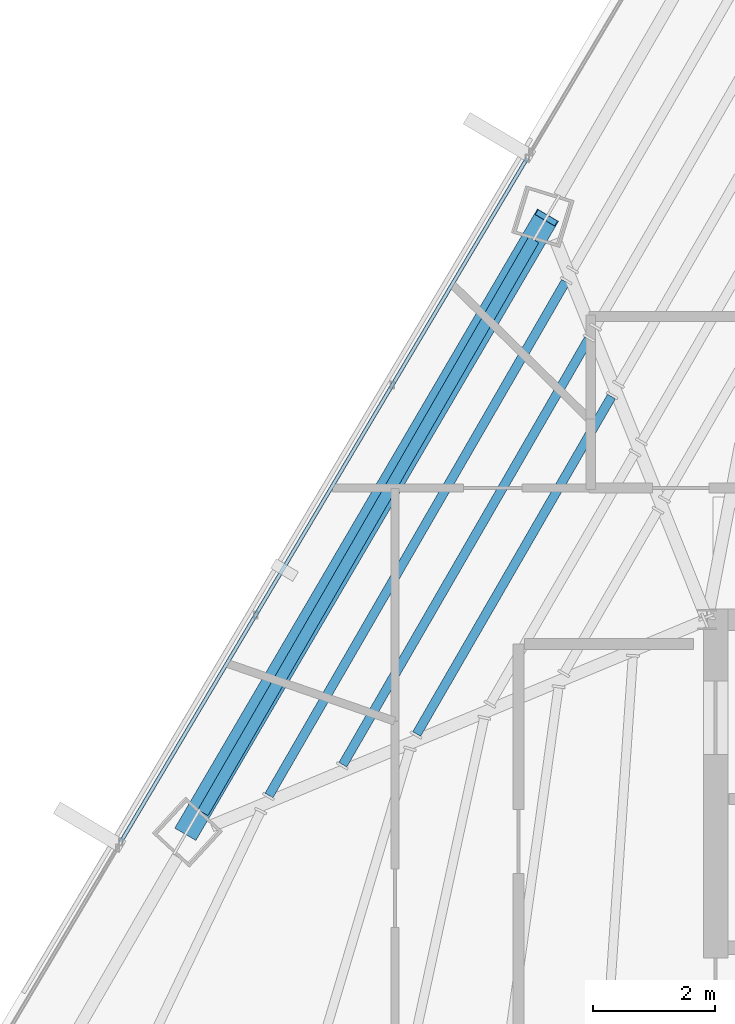
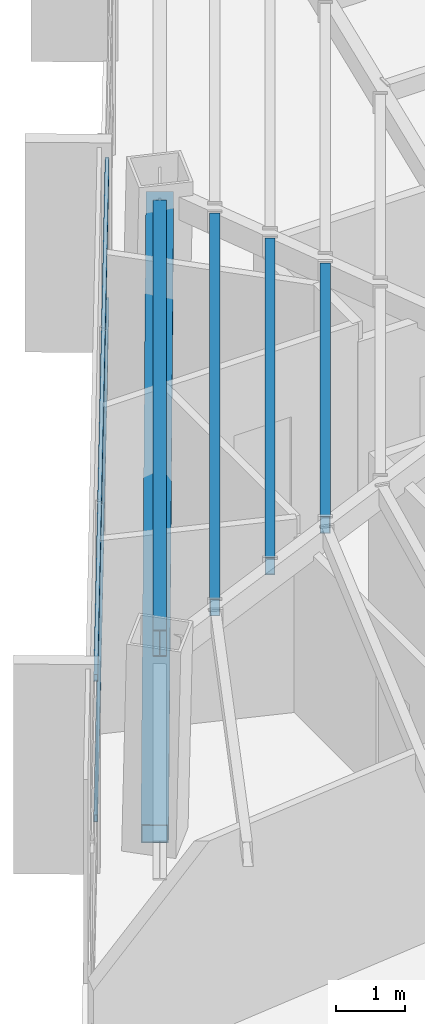
# One storey, part 18 of 49: 4 beams, 3 members, 1 element without a shape of its own.
"""IFC4 building model written with IfcOpenShell, lengths in metres."""

import ifcopenshell
import ifcopenshell.guid

model = None  # the IFC model being written
_history = None  # IfcOwnerHistory: only IFC2X3 demands one
_inside = {}  # id of a spatial element -> (the spatial element, [elements in it])
_under = {}  # id of a project, library or spatial element -> (it, [spatial elements below it])
_declared = {}  # id of a project -> (the project, [libraries it declares])
_typed = {}  # id of a type object -> (the type object, [elements of that type])
_made_of = {}  # id of a material, layer set ... -> (it, [elements and type objects made of it])


def new_model(schema):
    """Start an empty IFC model of exactly this schema.

    Asked for "IFC4X3", IfcOpenShell would pick the latest addendum, in which some entities
    have other attributes; the version numbers below select the first issue.
    IFC2X3 requires an IfcOwnerHistory on every rooted entity: one is made here for all.
    """
    global model, _history
    if schema == "IFC4X3":
        model = ifcopenshell.file(schema_version=(4, 3, 0, 0))
    else:
        model = ifcopenshell.file(schema=schema)
    _inside.clear()
    _under.clear()
    _declared.clear()
    _typed.clear()
    _made_of.clear()
    _history = None
    if model.schema == "IFC2X3":
        org = make("IfcOrganization", Name="unknown")
        user = make(
            "IfcPersonAndOrganization",
            ThePerson=make("IfcPerson", FamilyName="unknown"),
            TheOrganization=org,
        )
        app = make(
            "IfcApplication",
            ApplicationDeveloper=org,
            Version="unknown",
            ApplicationFullName="unknown",
            ApplicationIdentifier="unknown",
        )
        _history = make(
            "IfcOwnerHistory",
            OwningUser=user,
            OwningApplication=app,
            ChangeAction="ADDED",
            CreationDate=0,
        )
    return model


def make(cls, **values):
    """One entity of the class cls with the attributes given. An attribute that is None is left unset."""
    return model.create_entity(
        cls, **{name: value for name, value in values.items() if value is not None}
    )


def rooted(cls, **values):
    """An entity with a GlobalId (a new one), such as an element, a storey or a relation."""
    return make(cls, GlobalId=ifcopenshell.guid.new(), OwnerHistory=_history, **values)


def si_unit(unit_type, name, prefix=None):
    """IfcSIUnit, for example si_unit("LENGTHUNIT", "METRE", prefix="MILLI")."""
    return make("IfcSIUnit", UnitType=unit_type, Prefix=prefix, Name=name)


def assignment(units):
    """IfcUnitAssignment: the units of a project."""
    return None if units is None else make("IfcUnitAssignment", Units=units)


def point(xyz):
    """IfcCartesianPoint."""
    return None if xyz is None else make("IfcCartesianPoint", Coordinates=xyz)


def direction(xyz):
    """IfcDirection."""
    return None if xyz is None else make("IfcDirection", DirectionRatios=xyz)


def frame(location, z_axis=None, x_axis=None):
    """IfcAxis2Placement3D, a coordinate frame: its origin and axes. An axis left out is left unset."""
    return make(
        "IfcAxis2Placement3D",
        Location=point(location),
        Axis=direction(z_axis),
        RefDirection=direction(x_axis),
    )


def frame_2d(location, x_axis=None):
    """IfcAxis2Placement2D, a coordinate frame in the plane: its origin and x axis."""
    return make(
        "IfcAxis2Placement2D", Location=point(location), RefDirection=direction(x_axis)
    )


def origin():
    """The frame at (0, 0, 0) with its axes left unset."""
    return frame((0.0, 0.0, 0.0))


def origin_2d():
    """The frame at (0, 0) in the plane with its x axis left unset."""
    return frame_2d((0.0, 0.0))


def place(relative_to, where):
    """IfcLocalPlacement: puts the frame where relative to a parent placement (None: the world)."""
    return make(
        "IfcLocalPlacement", PlacementRelTo=relative_to, RelativePlacement=where
    )


def context(
    kind, dimensions, precision=None, world=None, true_north=None, identifier=None
):
    """IfcGeometricRepresentationContext, for example the 3D "Model" context."""
    return make(
        "IfcGeometricRepresentationContext",
        ContextIdentifier=identifier,
        ContextType=kind,
        CoordinateSpaceDimension=dimensions,
        Precision=precision,
        WorldCoordinateSystem=world,
        TrueNorth=true_north,
    )


def subcontext(parent, identifier, kind, view, scale=None):
    """IfcGeometricRepresentationSubContext, for example "Body" below "Model"."""
    return make(
        "IfcGeometricRepresentationSubContext",
        ContextIdentifier=identifier,
        ContextType=kind,
        ParentContext=parent,
        TargetScale=scale,
        TargetView=view,
    )


def project(units=None, contexts=None):
    """IfcProject with its units and contexts."""
    return rooted(
        "IfcProject",
        Name="project",
        RepresentationContexts=contexts,
        UnitsInContext=assignment(units),
    )


def spatial(cls, under=None, at=None, **own):
    """A site, building, storey or space (cls), placed at a placement, below another one or the project."""
    s = rooted(cls, ObjectPlacement=at, **own)
    if under is not None:
        _under.setdefault(under.id(), (under, []))[1].append(s)
    return s


def profile(cls, at=None, kind="AREA", **sizes):
    """A parametric profile (cls). Its sizes go by their IFC names, for example OverallWidth=200.0."""
    return make(cls, ProfileType=kind, Position=at, **sizes)


def hollow_rectangle(**sizes):
    """IfcRectangleHollowProfileDef."""
    return profile("IfcRectangleHollowProfileDef", **sizes)


def i_section(**sizes):
    """IfcIShapeProfileDef."""
    return profile("IfcIShapeProfileDef", **sizes)


def extrude(swept, where, along, depth):
    """IfcExtrudedAreaSolid: the profile swept, set in the frame where, extruded along a direction by depth."""
    return make(
        "IfcExtrudedAreaSolid",
        SweptArea=swept,
        Position=where,
        ExtrudedDirection=direction(along),
        Depth=depth,
    )


def shape(context_of_items, identifier, shape_type, items):
    """IfcShapeRepresentation: the items that make up one representation, for example the "Body"."""
    return make(
        "IfcShapeRepresentation",
        ContextOfItems=context_of_items,
        RepresentationIdentifier=identifier,
        RepresentationType=shape_type,
        Items=items,
    )


def source(mapping_origin, context_of_items, identifier, shape_type, items):
    """IfcRepresentationMap: a shape defined once, which mapped items show again and again."""
    return make(
        "IfcRepresentationMap",
        MappingOrigin=mapping_origin,
        MappedRepresentation=shape(context_of_items, identifier, shape_type, items),
    )


def transform(
    local_origin,
    x_axis=None,
    y_axis=None,
    z_axis=None,
    scale=None,
    scale2=None,
    scale3=None,
    uniform=True,
):
    """IfcCartesianTransformationOperator3D, or its non-uniform kind. x_axis, y_axis, z_axis: its Axis1, 2, 3."""
    if uniform:
        return make(
            "IfcCartesianTransformationOperator3D",
            Axis1=direction(x_axis),
            Axis2=direction(y_axis),
            LocalOrigin=point(local_origin),
            Scale=scale,
            Axis3=direction(z_axis),
        )
    return make(
        "IfcCartesianTransformationOperator3DnonUniform",
        Axis1=direction(x_axis),
        Axis2=direction(y_axis),
        LocalOrigin=point(local_origin),
        Scale=scale,
        Axis3=direction(z_axis),
        Scale2=scale2,
        Scale3=scale3,
    )


def mapped(mapping_source, mapping_target):
    """IfcMappedItem: shows the shape of a source again, moved by a transform."""
    return make(
        "IfcMappedItem", MappingSource=mapping_source, MappingTarget=mapping_target
    )


def material(Name=None, Category=None):
    """IfcMaterial."""
    return make("IfcMaterial", Name=Name, Category=Category)


def material_profile(
    of_material, cross_section, Name=None, Category=None, Priority=None
):
    """IfcMaterialProfile: a cross section and its material."""
    return make(
        "IfcMaterialProfile",
        Name=Name,
        Material=of_material,
        Profile=cross_section,
        Priority=Priority,
        Category=Category,
    )


def profile_set(profiles, Name=None, composite=None):
    """IfcMaterialProfileSet."""
    return make(
        "IfcMaterialProfileSet",
        Name=Name,
        MaterialProfiles=profiles,
        CompositeProfile=composite,
    )


def made_of(thing, what):
    """Note that an element or type object is made of a material, layer set ...; save() writes the relation."""
    if what is not None:
        _made_of.setdefault(what.id(), (what, []))[1].append(thing)
    return thing


def type_object(cls, material=None, **own):
    """A type object (cls), such as IfcWallType, which elements share."""
    return made_of(rooted(cls, **own), material)


def type_shapes(of_type, sources):
    """Give a type object the sources (RepresentationMaps) that its elements show as mapped items."""
    of_type.RepresentationMaps = sources


def element(
    cls,
    number,
    at=None,
    inside=None,
    cuts=None,
    type_object=None,
    material=None,
    context=None,
    identifier="Body",
    shape_type=None,
    held_by="IfcProductDefinitionShape",
    body=None,
    shapes=None,
    **own,
):
    """One element of the class cls, such as IfcWall. Its Tag is "e" and its number.

    at: its placement. inside: the storey or other place that contains it. cuts: it is an
    opening in that element (IfcRelVoidsElement). A single representation is given by context,
    identifier, shape_type and body (its items); several are given by shapes. held_by: the class
    of the entity that holds the representations. save() writes the other relations.
    """
    e = rooted(cls, Tag="e%d" % number, ObjectPlacement=at, **own)
    if body is not None:
        shapes = [shape(context, identifier, shape_type, body)]
    if shapes is not None:
        e.Representation = make(held_by, Representations=shapes)
    if inside is not None:
        _inside.setdefault(inside.id(), (inside, []))[1].append(e)
    if cuts is not None:
        rooted(
            "IfcRelVoidsElement", RelatingBuildingElement=cuts, RelatedOpeningElement=e
        )
    if type_object is not None:
        _typed.setdefault(type_object.id(), (type_object, []))[1].append(e)
    return made_of(e, material)


def aggregate(whole, parts):
    """IfcRelAggregates: a whole, such as a stair, and the parts it consists of."""
    return rooted("IfcRelAggregates", RelatingObject=whole, RelatedObjects=parts)


def save(model, path):
    """Write the relations noted so far, then the file.

    IfcRelAggregates (storeys below a building ...), IfcRelContainedInSpatialStructure (elements
    in a storey), IfcRelDefinesByType, IfcRelAssociatesMaterial and IfcRelDeclares: one each for
    every whole, place, type object, material and project.
    """
    for whole, parts in _under.values():
        aggregate(whole, parts)
    for where, things in _inside.values():
        rooted(
            "IfcRelContainedInSpatialStructure",
            RelatedElements=things,
            RelatingStructure=where,
        )
    for kind, things in _typed.values():
        rooted("IfcRelDefinesByType", RelatedObjects=things, RelatingType=kind)
    for what, things in _made_of.values():
        rooted("IfcRelAssociatesMaterial", RelatedObjects=things, RelatingMaterial=what)
    for by, libraries in _declared.values():
        rooted("IfcRelDeclares", RelatingContext=by, RelatedDefinitions=libraries)
    model.write(path)


model = new_model("IFC4")

# Units and contexts
model_context = context("Model", 3, precision=1e-05, world=origin(), true_north=direction((0.0, 1.0)))
body_context = subcontext(model_context, "Body", "Model", "MODEL_VIEW")
ifc_project = project(units=[si_unit("LENGTHUNIT", "METRE"), si_unit("AREAUNIT", "SQUARE_METRE"), si_unit("VOLUMEUNIT", "CUBIC_METRE"), si_unit("PLANEANGLEUNIT", "RADIAN"), si_unit("MASSUNIT", "GRAM", prefix="KILO")], contexts=[model_context])

# Site, building, storey
site_placement = place(None, origin())
site = spatial("IfcSite", under=ifc_project, at=site_placement, CompositionType="ELEMENT")
building_placement = place(site_placement, origin())
building = spatial("IfcBuilding", under=site, at=building_placement, Name="Caelisora Broadcast Tower", CompositionType="ELEMENT")
storey_placement = place(building_placement, frame((0.0, 0.0, 233.5)))
storey = spatial("IfcBuildingStorey", under=building, at=storey_placement, Name="L61", CompositionType="ELEMENT", Elevation=233.5)

# Beams
ifc_material_1 = material(Name="Steel Grade 350 (AS/NZS 3679.1)", Category="steel")
ifc_material_profile_1 = material_profile(ifc_material_1, i_section(OverallWidth=0.19091796875, OverallDepth=0.46044921875, WebThickness=0.010009765625, FlangeThickness=0.01611328125, at=origin_2d()), Name="Steel Grade 350 (AS/NZS 3679.1)")
ifc_profile_set_1 = profile_set([ifc_material_profile_1], Name="Steel Grade 350 (AS/NZS 3679.1)")
beam_type_1 = type_object("IfcBeamType", Name="PG06", PredefinedType="BEAM", material=ifc_profile_set_1)
shared_shape_1 = source(origin(), body_context, "Body", "SweptSolid", [
    extrude(i_section(OverallWidth=0.19091796875, OverallDepth=0.46044921875, WebThickness=0.010009765625, FlangeThickness=0.01611328125, at=origin_2d()), origin(), (0.0, 0.0, 1.0), 10.804443359375),
])
type_shapes(beam_type_1, [shared_shape_1])
beam_1_placement = place(storey_placement, frame((27.66796875, 36.203125, 3.169921875), z_axis=(-0.499991078618, -0.866030554486, 0.0), x_axis=(0.866030554486, -0.499991078618, 0.0)))
element("IfcBeam", 1, at=beam_1_placement, inside=storey, type_object=beam_type_1, Name="L61 beam PG06", PredefinedType="BEAM", context=body_context, shape_type="MappedRepresentation", body=[
    mapped(shared_shape_1, transform((0.0, 0.0, 0.0), scale=1.0)),
])
ifc_material_2 = material(Name="Steel Grade 350 (AS/NZS 1163 C350L0)", Category="steel")
ifc_material_profile_2 = material_profile(ifc_material_2, hollow_rectangle(XDim=0.14990234375, YDim=0.300048828125, WallThickness=0.010009765625, at=origin_2d()), Name="Steel Grade 350 (AS/NZS 1163 C350L0)")
ifc_profile_set_2 = profile_set([ifc_material_profile_2], Name="Steel Grade 350 (AS/NZS 1163 C350L0)")
beam_type_2 = type_object("IfcBeamType", Name="SB05", PredefinedType="JOIST", material=ifc_profile_set_2)
shared_shape_2 = source(origin(), body_context, "Body", "SweptSolid", [
    extrude(hollow_rectangle(XDim=0.14990234375, YDim=0.300048828125, WallThickness=0.010009765625, at=origin_2d()), origin(), (0.0, 0.0, 1.0), 6.363525390625),
])
beam_2_placement = place(storey_placement, frame((28.9384765625, 33.642822265625, 3.25), z_axis=(-0.500013591967, -0.866017556316, 0.0), x_axis=(0.866017556316, -0.500013591967, 0.0)))
element("IfcBeam", 2, at=beam_2_placement, inside=storey, type_object=beam_type_2, Name="L61 beam SB05", PredefinedType="JOIST", context=body_context, shape_type="MappedRepresentation", body=[
    mapped(shared_shape_2, transform((0.0, 0.0, 0.0), scale=1.0)),
])
shared_shape_3 = source(origin(), body_context, "Body", "SweptSolid", [
    extrude(hollow_rectangle(XDim=0.14990234375, YDim=0.300048828125, WallThickness=0.010009765625, at=origin_2d()), origin(), (0.0, 0.0, 1.0), 8.02587890625),
])
beam_3_placement = place(storey_placement, frame((28.563720703125, 34.58056640625, 3.25), z_axis=(-0.499996300355, -0.866027539765, 0.0), x_axis=(0.866027539765, -0.499996300355, 0.0)))
element("IfcBeam", 3, at=beam_3_placement, inside=storey, type_object=beam_type_2, Name="L61 beam SB05", PredefinedType="JOIST", context=body_context, shape_type="MappedRepresentation", body=[
    mapped(shared_shape_3, transform((0.0, 0.0, 0.0), scale=1.0)),
])
shared_shape_4 = source(origin(), body_context, "Body", "SweptSolid", [
    extrude(hollow_rectangle(XDim=0.14990234375, YDim=0.300048828125, WallThickness=0.010009765625, at=origin_2d()), origin(), (0.0, 0.0, 1.0), 9.688232421875),
])
type_shapes(beam_type_2, [shared_shape_2, shared_shape_3, shared_shape_4])
beam_4_placement = place(storey_placement, frame((28.188720703125, 35.51806640625, 3.25), z_axis=(-0.500014754087, -0.866016885341, 0.0), x_axis=(0.866016885341, -0.500014754087, 0.0)))
element("IfcBeam", 4, at=beam_4_placement, inside=storey, type_object=beam_type_2, Name="L61 beam SB05", PredefinedType="JOIST", context=body_context, shape_type="MappedRepresentation", body=[
    mapped(shared_shape_4, transform((0.0, 0.0, 0.0), scale=1.0)),
])

# Member
ifc_material_3 = material(Name="Steel Grade 450 (AS/NZS 1163 C450L0)", Category="steel")
ifc_material_profile_3 = material_profile(ifc_material_3, hollow_rectangle(XDim=0.39990234375, YDim=0.39990234375, WallThickness=0.01611328125, at=origin_2d()), Name="Steel Grade 450 (AS/NZS 1163 C450L0)")
ifc_profile_set_3 = profile_set([ifc_material_profile_3], Name="Steel Grade 450 (AS/NZS 1163 C450L0)")
member_type_1 = type_object("IfcMemberType", Name="BR04", PredefinedType="BRACE", material=ifc_profile_set_3)
shared_shape_5 = source(origin(), body_context, "Body", "SweptSolid", [
    extrude(hollow_rectangle(XDim=0.39990234375, YDim=0.39990234375, WallThickness=0.01611328125, at=origin_2d()), origin(), (0.0, 0.0, 1.0), 12.001220703125),
])
type_shapes(member_type_1, [shared_shape_5])
member_1_placement = place(storey_placement, frame((27.8759765625, 36.5634765625, 3.10009765625), z_axis=(-0.489329472557, -0.835505561129, -0.249974247892), x_axis=(0.862900507635, -0.505373835812, 0.0)))
element("IfcMember", 5, at=member_1_placement, inside=storey, type_object=member_type_1, Name="L61 perimeter brace BR04", PredefinedType="BRACE", context=body_context, shape_type="MappedRepresentation", body=[
    mapped(shared_shape_5, transform((0.0, 0.0, 0.0), scale=1.0)),
])

# Curtain wall, members
ifc_material_4 = material(Name="Unitised Aluminium Insulated Shadow-Box Spandrel Curtain Wall", Category="aluminium")
curtain_wall_type = type_object("IfcCurtainWallType", Name="CW-SP3", PredefinedType="NOTDEFINED", material=ifc_material_4)
curtain_wall_placement = place(storey_placement, origin())
curtain_wall = element("IfcCurtainWall", 6, at=curtain_wall_placement, inside=storey, type_object=curtain_wall_type, Name="L61 curtain wall CW-SP3", PredefinedType="NOTDEFINED")
ifc_material_5 = material(Name="Aluminium 6063-T6 Anodised Terracotta Bronze", Category="aluminium")
ifc_material_profile_4 = material_profile(ifc_material_5, hollow_rectangle(XDim=0.06005859375, YDim=0.1201171875, WallThickness=0.0029296875, at=origin_2d()), Name="Aluminium 6063-T6 Anodised Terracotta Bronze")
ifc_profile_set_4 = profile_set([ifc_material_profile_4], Name="Aluminium 6063-T6 Anodised Terracotta Bronze")
member_type_2 = type_object("IfcMemberType", Name="CWT-03", PredefinedType="USERDEFINED", material=ifc_profile_set_4)
shared_shape_6 = source(origin(), body_context, "Body", "SweptSolid", [
    extrude(hollow_rectangle(XDim=0.06005859375, YDim=0.1201171875, WallThickness=0.0029296875, at=origin_2d()), origin(), (0.0, 0.0, 1.0), 12.992919921875),
])
type_shapes(member_type_2, [shared_shape_6])
member_2_placement = place(storey_placement, frame((20.924560546875, 26.368896484375, 0.85009765625), z_axis=(0.510893409197, 0.85964406846, 0.0), x_axis=(-0.85964406846, 0.510893409197, 0.0)))
member_2 = element("IfcMember", 7, at=member_2_placement, type_object=member_type_2, Name="L61-CW-B10 transom #1", ObjectType="TRANSOM", PredefinedType="USERDEFINED", context=body_context, shape_type="MappedRepresentation", body=[
    mapped(shared_shape_6, transform((0.0, 0.0, 0.0), scale=1.0)),
])
member_3_placement = place(storey_placement, frame((20.924560546875, 26.368896484375, 3.320068359375), z_axis=(0.510893409197, 0.85964406846, 0.0), x_axis=(-0.85964406846, 0.510893409197, 0.0)))
member_3 = element("IfcMember", 8, at=member_3_placement, type_object=member_type_2, Name="L61-CW-B10 transom #2", ObjectType="TRANSOM", PredefinedType="USERDEFINED", context=body_context, shape_type="MappedRepresentation", body=[
    mapped(shared_shape_6, transform((0.0, 0.0, 0.0), scale=1.0)),
])
aggregate(curtain_wall, [member_2, member_3])

save(model, "model.ifc")
